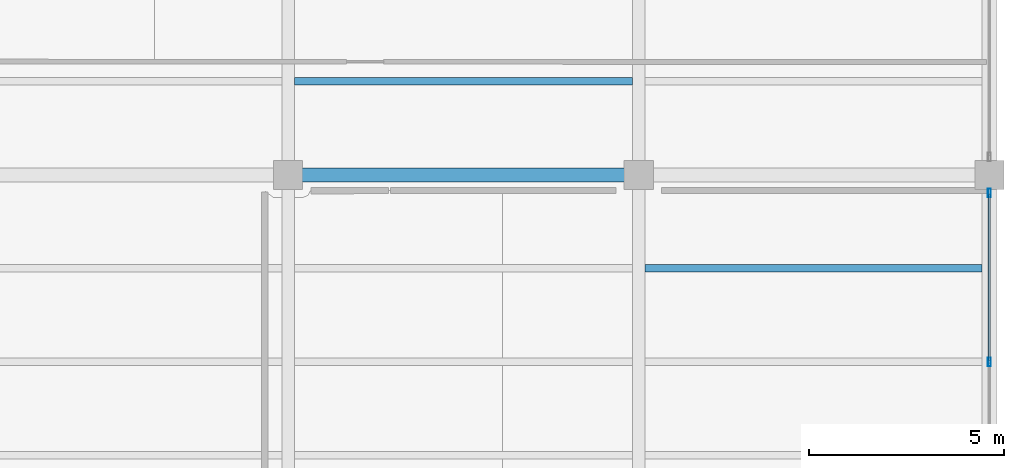
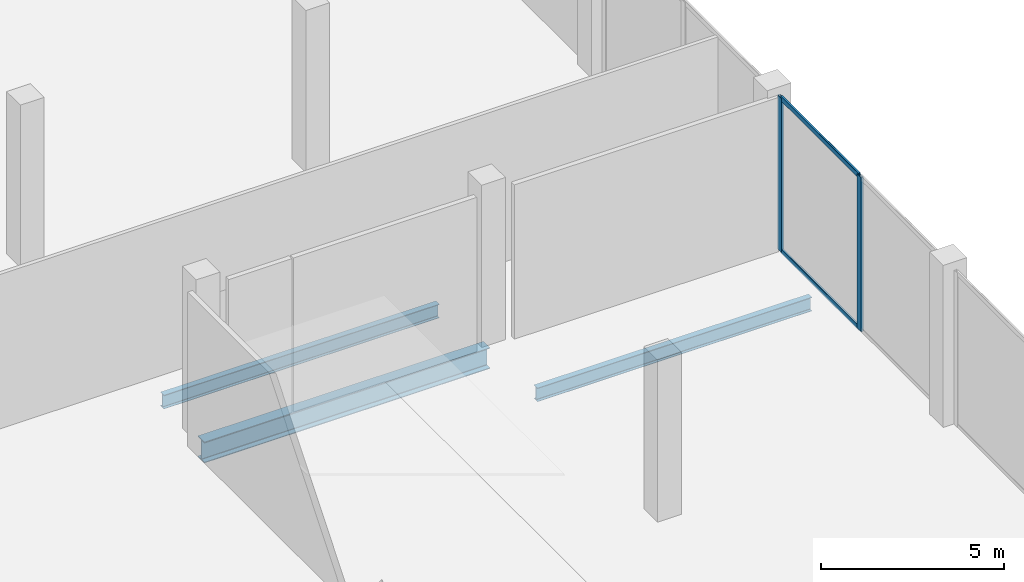
# One storey, part 20 of 47: 4 members, 3 beams, 1 element without a shape of its own.
"""IFC4 building model written with IfcOpenShell, lengths in metres."""

from ifc_helpers import new_model, si_unit, direction, frame, origin, origin_2d, place, context, subcontext, project, spatial, hollow_rectangle, i_section, extrude, material, layer, layer_set, material_profile, profile_set, type_object, element, aggregate, save


model = new_model("IFC4")

# Units and contexts
model_context = context("Model", 3, precision=1e-05, world=origin(), true_north=direction((0.0, 1.0)))
body_context = subcontext(model_context, "Body", "Model", "MODEL_VIEW")
ifc_project = project(units=[si_unit("LENGTHUNIT", "METRE"), si_unit("AREAUNIT", "SQUARE_METRE"), si_unit("VOLUMEUNIT", "CUBIC_METRE"), si_unit("PLANEANGLEUNIT", "RADIAN"), si_unit("MASSUNIT", "GRAM", prefix="KILO")], contexts=[model_context])

# Site, building, storey
site_placement = place(None, origin())
site = spatial("IfcSite", under=ifc_project, at=site_placement, CompositionType="ELEMENT")
building_placement = place(site_placement, origin())
building = spatial("IfcBuilding", under=site, at=building_placement, Name="Qorvath Tower", CompositionType="ELEMENT")
storey_placement = place(building_placement, frame((0.0, 0.0, 6.60009765625)))
storey = spatial("IfcBuildingStorey", under=building, at=storey_placement, Name="L01", CompositionType="ELEMENT", Elevation=6.60009765625)

# Beams
ifc_material_1 = material(Name="Steel ASTM A992 Grade 50", Category="steel")
ifc_material_profile_1 = material_profile(ifc_material_1, i_section(OverallWidth=0.35595703125, OverallDepth=0.696044921875, WebThickness=0.015380859375, FlangeThickness=0.02490234375, FilletRadius=0.01806640625, at=origin_2d()), Name="W27x146")
ifc_profile_set_1 = profile_set([ifc_material_profile_1], Name="Steel ASTM A992 Grade 50")
beam_type_1 = type_object("IfcBeamType", Name="BM-FG4", PredefinedType="BEAM", material=ifc_profile_set_1)
beam_1_placement = place(storey_placement, frame((59.39990234375, 9.60009765625, -0.60791015625), z_axis=(1.0, 0.0, 0.0), x_axis=(0.0, 1.0, 0.0)))
element("IfcBeam", 1, at=beam_1_placement, inside=storey, type_object=beam_type_1, Name="Library E-W Girder L01-6-4", PredefinedType="BEAM", context=body_context, shape_type="SweptSolid", body=[
    extrude(i_section(OverallWidth=0.35595703125, OverallDepth=0.696044921875, WebThickness=0.015380859375, FlangeThickness=0.02490234375, FilletRadius=0.01806640625, at=origin_2d()), origin(), (0.0, 0.0, 1.0), 9.0),
])
ifc_material_2 = material(Name="Steel ASTM A992 Grade 50", Category="steel")
ifc_material_profile_2 = material_profile(ifc_material_2, i_section(OverallWidth=0.18994140625, OverallDepth=0.45703125, WebThickness=0.009033203125, FlangeThickness=0.014404296875, FilletRadius=0.011962890625, at=origin_2d()), Name="W18x50")
ifc_profile_set_2 = profile_set([ifc_material_profile_2], Name="Steel ASTM A992 Grade 50")
beam_type_2 = type_object("IfcBeamType", Name="BM-FJ2", PredefinedType="JOIST", material=ifc_profile_set_2)
beam_2_placement = place(storey_placement, frame((68.560546875, 7.199951171875, -0.488525390625), z_axis=(1.0, 0.0, 0.0), x_axis=(0.0, 1.0, 0.0)))
element("IfcBeam", 2, at=beam_2_placement, inside=storey, type_object=beam_type_2, Name="Library Stack Joist L01-5.3-5", PredefinedType="JOIST", context=body_context, shape_type="SweptSolid", body=[
    extrude(i_section(OverallWidth=0.18994140625, OverallDepth=0.45703125, WebThickness=0.009033203125, FlangeThickness=0.014404296875, FilletRadius=0.011962890625, at=origin_2d()), origin(), (0.0, 0.0, 1.0), 8.65087890625),
])
beam_3_placement = place(storey_placement, frame((59.560546875, 12.0, -0.488525390625), z_axis=(1.0, 0.0, 0.0), x_axis=(0.0, 1.0, 0.0)))
element("IfcBeam", 3, at=beam_3_placement, inside=storey, type_object=beam_type_2, Name="Library Stack Joist L01-6.1-4", PredefinedType="JOIST", context=body_context, shape_type="SweptSolid", body=[
    extrude(i_section(OverallWidth=0.18994140625, OverallDepth=0.45703125, WebThickness=0.009033203125, FlangeThickness=0.014404296875, FilletRadius=0.011962890625, at=origin_2d()), origin(), (0.0, 0.0, 1.0), 8.678955078125),
])

# Curtain wall, members
ifc_material_3 = material(Name="Anodised aluminium and triple low-E glass", Category="aluminium")
ifc_layer = layer(ifc_material_3, 0.179931640625)
ifc_layer_set = layer_set([ifc_layer], Name="CW-SYS-6")
curtain_wall_type = type_object("IfcCurtainWallType", Name="CW-SYS-6", PredefinedType="NOTDEFINED", material=ifc_layer_set)
curtain_wall_placement = place(storey_placement, origin())
curtain_wall = element("IfcCurtainWall", 4, at=curtain_wall_placement, inside=storey, type_object=curtain_wall_type, Name="Curtain Wall CW-6 CW-LIB-E-L01-5", PredefinedType="NOTDEFINED")
ifc_material_4 = material(Name="Anodised aluminium 6063-T6", Category="aluminium")
ifc_material_profile_3 = material_profile(ifc_material_4, hollow_rectangle(XDim=0.080078125, YDim=0.219970703125, WallThickness=0.00439453125, InnerFilletRadius=0.00439453125, OuterFilletRadius=0.009033203125, at=origin_2d()), Name="CWM LIB 220x80")
ifc_profile_set_3 = profile_set([ifc_material_profile_3], Name="Anodised aluminium 6063-T6")
member_type_1 = type_object("IfcMemberType", Name="CWM-LIB", PredefinedType="MULLION", material=ifc_profile_set_3)
member_1_placement = place(storey_placement, frame((77.39990234375, 4.7998046875, 0.0), z_axis=(0.0, 0.0, 1.0), x_axis=(-1.0, 0.0, 0.0)))
member_1 = element("IfcMember", 5, at=member_1_placement, type_object=member_type_1, Name="CW-6 mullion 2", PredefinedType="MULLION", context=body_context, shape_type="SweptSolid", body=[
    extrude(hollow_rectangle(XDim=0.080078125, YDim=0.219970703125, WallThickness=0.00439453125, InnerFilletRadius=0.00439453125, OuterFilletRadius=0.009033203125, at=origin_2d()), origin(), (0.0, 0.0, 1.0), 5.139892578125),
])
member_2_placement = place(storey_placement, frame((77.39990234375, 9.139892578125, 0.0), z_axis=(0.0, 0.0, 1.0), x_axis=(-1.0, 0.0, 0.0)))
member_2 = element("IfcMember", 6, at=member_2_placement, type_object=member_type_1, Name="CW-6 mullion 3", PredefinedType="MULLION", context=body_context, shape_type="SweptSolid", body=[
    extrude(hollow_rectangle(XDim=0.080078125, YDim=0.219970703125, WallThickness=0.00439453125, InnerFilletRadius=0.00439453125, OuterFilletRadius=0.009033203125, at=origin_2d()), origin(), (0.0, 0.0, 1.0), 5.139892578125),
])
ifc_material_5 = material(Name="Anodised aluminium 6063-T6", Category="aluminium")
ifc_material_profile_4 = material_profile(ifc_material_5, hollow_rectangle(XDim=0.06494140625, YDim=0.159912109375, WallThickness=0.00341796875, InnerFilletRadius=0.00341796875, OuterFilletRadius=0.007080078125, at=origin_2d()), Name="CWT 160x65")
ifc_profile_set_4 = profile_set([ifc_material_profile_4], Name="Anodised aluminium 6063-T6")
member_type_2 = type_object("IfcMemberType", Name="CWT-160", PredefinedType="USERDEFINED", material=ifc_profile_set_4)
member_3_placement = place(storey_placement, frame((77.39990234375, 4.83984375, 0.032470703125), z_axis=(0.0, 1.0, 0.0), x_axis=(-1.0, 0.0, 0.0)))
member_3 = element("IfcMember", 7, at=member_3_placement, type_object=member_type_2, Name="CW-6 transom 2.1", ObjectType="TRANSOM", PredefinedType="USERDEFINED", context=body_context, shape_type="SweptSolid", body=[
    extrude(hollow_rectangle(XDim=0.06494140625, YDim=0.159912109375, WallThickness=0.00341796875, InnerFilletRadius=0.00341796875, OuterFilletRadius=0.007080078125, at=origin_2d()), origin(), (0.0, 0.0, 1.0), 4.260009765625),
])
member_4_placement = place(storey_placement, frame((77.39990234375, 4.83984375, 5.107421875), z_axis=(0.0, 1.0, 0.0), x_axis=(-1.0, 0.0, 0.0)))
member_4 = element("IfcMember", 8, at=member_4_placement, type_object=member_type_2, Name="CW-6 transom 2.2", ObjectType="TRANSOM", PredefinedType="USERDEFINED", context=body_context, shape_type="SweptSolid", body=[
    extrude(hollow_rectangle(XDim=0.06494140625, YDim=0.159912109375, WallThickness=0.00341796875, InnerFilletRadius=0.00341796875, OuterFilletRadius=0.007080078125, at=origin_2d()), origin(), (0.0, 0.0, 1.0), 4.260009765625),
])
aggregate(curtain_wall, [member_1, member_2, member_3, member_4])

save(model, "model.ifc")
